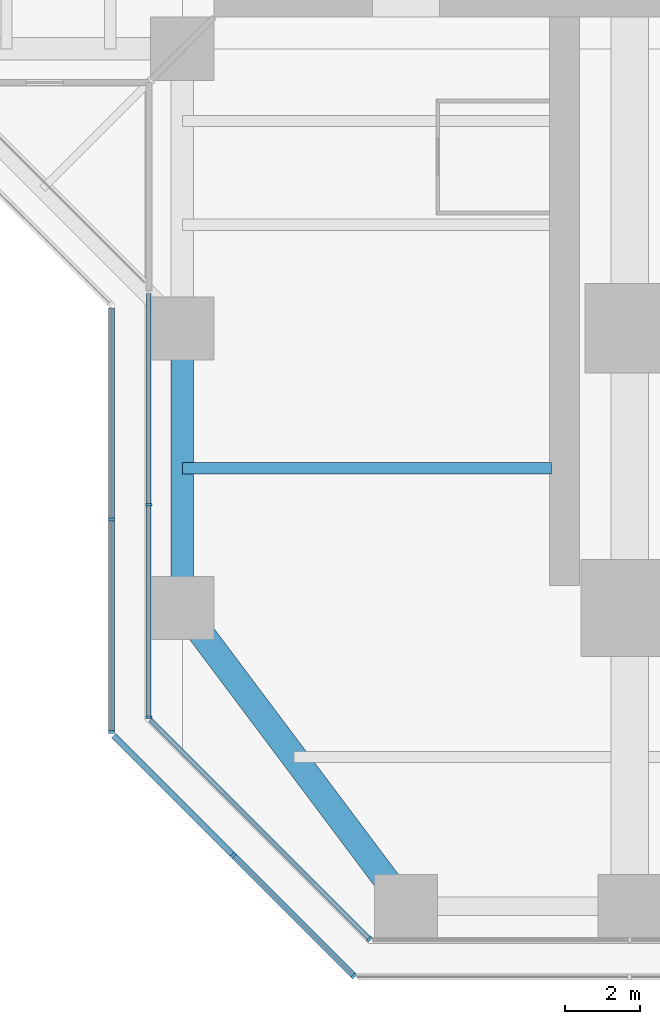
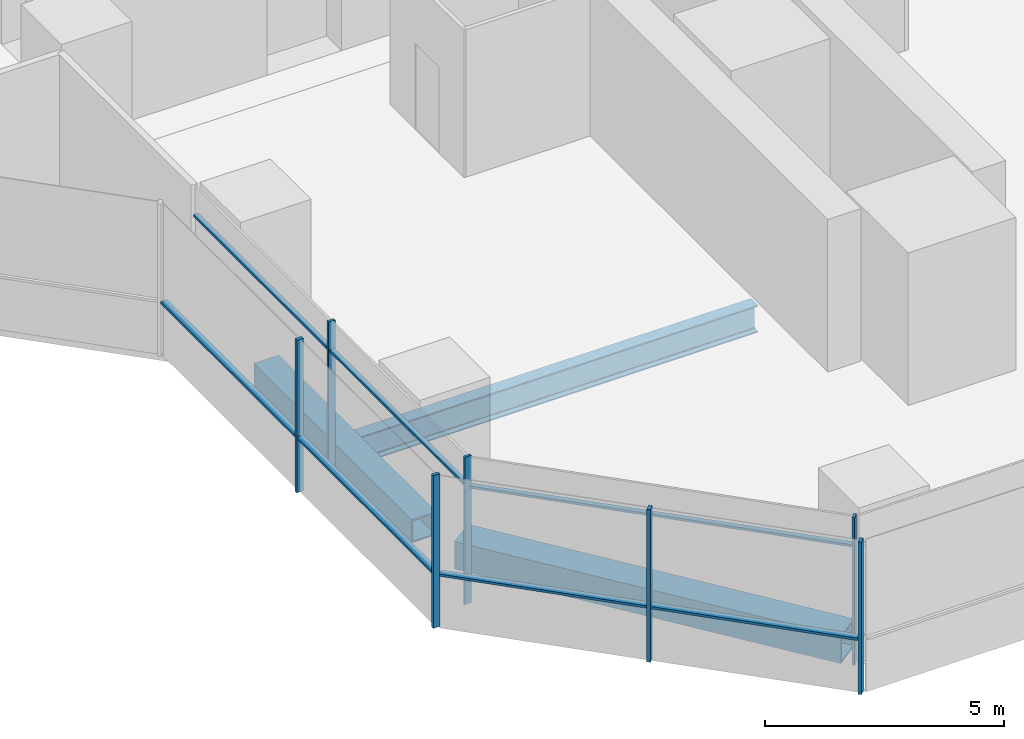
# One storey, part 2 of 22: 14 members, 3 beams, 4 elements without a shape of their own.
"""IFC4 building model written with IfcOpenShell, lengths in metres."""

import ifcopenshell
import ifcopenshell.guid

model = None  # the IFC model being written
_history = None  # IfcOwnerHistory: only IFC2X3 demands one
_inside = {}  # id of a spatial element -> (the spatial element, [elements in it])
_under = {}  # id of a project, library or spatial element -> (it, [spatial elements below it])
_declared = {}  # id of a project -> (the project, [libraries it declares])
_typed = {}  # id of a type object -> (the type object, [elements of that type])
_made_of = {}  # id of a material, layer set ... -> (it, [elements and type objects made of it])


def new_model(schema):
    """Start an empty IFC model of exactly this schema.

    Asked for "IFC4X3", IfcOpenShell would pick the latest addendum, in which some entities
    have other attributes; the version numbers below select the first issue.
    IFC2X3 requires an IfcOwnerHistory on every rooted entity: one is made here for all.
    """
    global model, _history
    if schema == "IFC4X3":
        model = ifcopenshell.file(schema_version=(4, 3, 0, 0))
    else:
        model = ifcopenshell.file(schema=schema)
    _inside.clear()
    _under.clear()
    _declared.clear()
    _typed.clear()
    _made_of.clear()
    _history = None
    if model.schema == "IFC2X3":
        org = make("IfcOrganization", Name="unknown")
        user = make(
            "IfcPersonAndOrganization",
            ThePerson=make("IfcPerson", FamilyName="unknown"),
            TheOrganization=org,
        )
        app = make(
            "IfcApplication",
            ApplicationDeveloper=org,
            Version="unknown",
            ApplicationFullName="unknown",
            ApplicationIdentifier="unknown",
        )
        _history = make(
            "IfcOwnerHistory",
            OwningUser=user,
            OwningApplication=app,
            ChangeAction="ADDED",
            CreationDate=0,
        )
    return model


def make(cls, **values):
    """One entity of the class cls with the attributes given. An attribute that is None is left unset."""
    return model.create_entity(
        cls, **{name: value for name, value in values.items() if value is not None}
    )


def rooted(cls, **values):
    """An entity with a GlobalId (a new one), such as an element, a storey or a relation."""
    return make(cls, GlobalId=ifcopenshell.guid.new(), OwnerHistory=_history, **values)


def si_unit(unit_type, name, prefix=None):
    """IfcSIUnit, for example si_unit("LENGTHUNIT", "METRE", prefix="MILLI")."""
    return make("IfcSIUnit", UnitType=unit_type, Prefix=prefix, Name=name)


def assignment(units):
    """IfcUnitAssignment: the units of a project."""
    return None if units is None else make("IfcUnitAssignment", Units=units)


def point(xyz):
    """IfcCartesianPoint."""
    return None if xyz is None else make("IfcCartesianPoint", Coordinates=xyz)


def direction(xyz):
    """IfcDirection."""
    return None if xyz is None else make("IfcDirection", DirectionRatios=xyz)


def frame(location, z_axis=None, x_axis=None):
    """IfcAxis2Placement3D, a coordinate frame: its origin and axes. An axis left out is left unset."""
    return make(
        "IfcAxis2Placement3D",
        Location=point(location),
        Axis=direction(z_axis),
        RefDirection=direction(x_axis),
    )


def frame_2d(location, x_axis=None):
    """IfcAxis2Placement2D, a coordinate frame in the plane: its origin and x axis."""
    return make(
        "IfcAxis2Placement2D", Location=point(location), RefDirection=direction(x_axis)
    )


def origin():
    """The frame at (0, 0, 0) with its axes left unset."""
    return frame((0.0, 0.0, 0.0))


def origin_2d():
    """The frame at (0, 0) in the plane with its x axis left unset."""
    return frame_2d((0.0, 0.0))


def place(relative_to, where):
    """IfcLocalPlacement: puts the frame where relative to a parent placement (None: the world)."""
    return make(
        "IfcLocalPlacement", PlacementRelTo=relative_to, RelativePlacement=where
    )


def context(
    kind, dimensions, precision=None, world=None, true_north=None, identifier=None
):
    """IfcGeometricRepresentationContext, for example the 3D "Model" context."""
    return make(
        "IfcGeometricRepresentationContext",
        ContextIdentifier=identifier,
        ContextType=kind,
        CoordinateSpaceDimension=dimensions,
        Precision=precision,
        WorldCoordinateSystem=world,
        TrueNorth=true_north,
    )


def subcontext(parent, identifier, kind, view, scale=None):
    """IfcGeometricRepresentationSubContext, for example "Body" below "Model"."""
    return make(
        "IfcGeometricRepresentationSubContext",
        ContextIdentifier=identifier,
        ContextType=kind,
        ParentContext=parent,
        TargetScale=scale,
        TargetView=view,
    )


def project(units=None, contexts=None):
    """IfcProject with its units and contexts."""
    return rooted(
        "IfcProject",
        Name="project",
        RepresentationContexts=contexts,
        UnitsInContext=assignment(units),
    )


def spatial(cls, under=None, at=None, **own):
    """A site, building, storey or space (cls), placed at a placement, below another one or the project."""
    s = rooted(cls, ObjectPlacement=at, **own)
    if under is not None:
        _under.setdefault(under.id(), (under, []))[1].append(s)
    return s


def profile(cls, at=None, kind="AREA", **sizes):
    """A parametric profile (cls). Its sizes go by their IFC names, for example OverallWidth=200.0."""
    return make(cls, ProfileType=kind, Position=at, **sizes)


def rectangle(**sizes):
    """IfcRectangleProfileDef."""
    return profile("IfcRectangleProfileDef", **sizes)


def hollow_rectangle(**sizes):
    """IfcRectangleHollowProfileDef."""
    return profile("IfcRectangleHollowProfileDef", **sizes)


def i_section(**sizes):
    """IfcIShapeProfileDef."""
    return profile("IfcIShapeProfileDef", **sizes)


def extrude(swept, where, along, depth):
    """IfcExtrudedAreaSolid: the profile swept, set in the frame where, extruded along a direction by depth."""
    return make(
        "IfcExtrudedAreaSolid",
        SweptArea=swept,
        Position=where,
        ExtrudedDirection=direction(along),
        Depth=depth,
    )


def shape(context_of_items, identifier, shape_type, items):
    """IfcShapeRepresentation: the items that make up one representation, for example the "Body"."""
    return make(
        "IfcShapeRepresentation",
        ContextOfItems=context_of_items,
        RepresentationIdentifier=identifier,
        RepresentationType=shape_type,
        Items=items,
    )


def material(Name=None, Category=None):
    """IfcMaterial."""
    return make("IfcMaterial", Name=Name, Category=Category)


def material_profile(
    of_material, cross_section, Name=None, Category=None, Priority=None
):
    """IfcMaterialProfile: a cross section and its material."""
    return make(
        "IfcMaterialProfile",
        Name=Name,
        Material=of_material,
        Profile=cross_section,
        Priority=Priority,
        Category=Category,
    )


def profile_set(profiles, Name=None, composite=None):
    """IfcMaterialProfileSet."""
    return make(
        "IfcMaterialProfileSet",
        Name=Name,
        MaterialProfiles=profiles,
        CompositeProfile=composite,
    )


def made_of(thing, what):
    """Note that an element or type object is made of a material, layer set ...; save() writes the relation."""
    if what is not None:
        _made_of.setdefault(what.id(), (what, []))[1].append(thing)
    return thing


def type_object(cls, material=None, **own):
    """A type object (cls), such as IfcWallType, which elements share."""
    return made_of(rooted(cls, **own), material)


def element(
    cls,
    number,
    at=None,
    inside=None,
    cuts=None,
    type_object=None,
    material=None,
    context=None,
    identifier="Body",
    shape_type=None,
    held_by="IfcProductDefinitionShape",
    body=None,
    shapes=None,
    **own,
):
    """One element of the class cls, such as IfcWall. Its Tag is "e" and its number.

    at: its placement. inside: the storey or other place that contains it. cuts: it is an
    opening in that element (IfcRelVoidsElement). A single representation is given by context,
    identifier, shape_type and body (its items); several are given by shapes. held_by: the class
    of the entity that holds the representations. save() writes the other relations.
    """
    e = rooted(cls, Tag="e%d" % number, ObjectPlacement=at, **own)
    if body is not None:
        shapes = [shape(context, identifier, shape_type, body)]
    if shapes is not None:
        e.Representation = make(held_by, Representations=shapes)
    if inside is not None:
        _inside.setdefault(inside.id(), (inside, []))[1].append(e)
    if cuts is not None:
        rooted(
            "IfcRelVoidsElement", RelatingBuildingElement=cuts, RelatedOpeningElement=e
        )
    if type_object is not None:
        _typed.setdefault(type_object.id(), (type_object, []))[1].append(e)
    return made_of(e, material)


def aggregate(whole, parts):
    """IfcRelAggregates: a whole, such as a stair, and the parts it consists of."""
    return rooted("IfcRelAggregates", RelatingObject=whole, RelatedObjects=parts)


def save(model, path):
    """Write the relations noted so far, then the file.

    IfcRelAggregates (storeys below a building ...), IfcRelContainedInSpatialStructure (elements
    in a storey), IfcRelDefinesByType, IfcRelAssociatesMaterial and IfcRelDeclares: one each for
    every whole, place, type object, material and project.
    """
    for whole, parts in _under.values():
        aggregate(whole, parts)
    for where, things in _inside.values():
        rooted(
            "IfcRelContainedInSpatialStructure",
            RelatedElements=things,
            RelatingStructure=where,
        )
    for kind, things in _typed.values():
        rooted("IfcRelDefinesByType", RelatedObjects=things, RelatingType=kind)
    for what, things in _made_of.values():
        rooted("IfcRelAssociatesMaterial", RelatedObjects=things, RelatingMaterial=what)
    for by, libraries in _declared.values():
        rooted("IfcRelDeclares", RelatingContext=by, RelatedDefinitions=libraries)
    model.write(path)


model = new_model("IFC4")

# Units and contexts
model_context = context("Model", 3, precision=1e-05, world=origin(), true_north=direction((0.0, 1.0)))
body_context = subcontext(model_context, "Body", "Model", "MODEL_VIEW")
ifc_project = project(units=[si_unit("LENGTHUNIT", "METRE"), si_unit("AREAUNIT", "SQUARE_METRE"), si_unit("VOLUMEUNIT", "CUBIC_METRE"), si_unit("PLANEANGLEUNIT", "RADIAN"), si_unit("MASSUNIT", "GRAM", prefix="KILO")], contexts=[model_context])

# Site, building, storey
site_placement = place(None, origin())
site = spatial("IfcSite", under=ifc_project, at=site_placement, CompositionType="ELEMENT")
building_placement = place(site_placement, origin())
building = spatial("IfcBuilding", under=site, at=building_placement, Name="Mizan Broadcast Tower", CompositionType="ELEMENT")
storey_placement = place(building_placement, frame((0.0, 0.0, 43.5)))
storey = spatial("IfcBuildingStorey", under=building, at=storey_placement, Name="L07", CompositionType="ELEMENT", Elevation=43.5)

# Beams
ifc_material_1 = material(Name="Steel S355", Category="steel")
ifc_material_profile_1 = material_profile(ifc_material_1, hollow_rectangle(XDim=0.60009765625, YDim=0.60009765625, WallThickness=0.0400390625, at=origin_2d()), Name="BOX 600x600x40")
ifc_profile_set_1 = profile_set([ifc_material_profile_1], Name="Steel S355")
beam_type_1 = type_object("IfcBeamType", Name="EDGE BEAM BOX 600x600x40", PredefinedType="SPANDREL", material=ifc_profile_set_1)
beam_1_placement = place(storey_placement, frame((-12.0, -19.949951171875, -0.429931640625), z_axis=(0.0, -1.0, 0.0), x_axis=(1.0, 0.0, 0.0)))
element("IfcBeam", 1, at=beam_1_placement, inside=storey, type_object=beam_type_1, Name="Edge beam BOX 600x600x40 L07 south arm", PredefinedType="SPANDREL", context=body_context, shape_type="SweptSolid", body=[
    extrude(hollow_rectangle(XDim=0.60009765625, YDim=0.60009765625, WallThickness=0.0400390625, at=origin_2d()), origin(), (0.0, 0.0, 1.0), 6.60009765625),
])
ifc_material_2 = material(Name="Steel S355", Category="steel")
ifc_material_profile_2 = material_profile(ifc_material_2, hollow_rectangle(XDim=0.699951171875, YDim=0.699951171875, WallThickness=0.0400390625, at=origin_2d()), Name="BOX 700x700x40")
ifc_profile_set_2 = profile_set([ifc_material_profile_2], Name="Steel S355")
beam_type_2 = type_object("IfcBeamType", Name="EDGE BEAM BOX 700x700x40", PredefinedType="SPANDREL", material=ifc_profile_set_2)
beam_2_placement = place(storey_placement, frame((-11.639892578125, -27.47998046875, -0.47998046875), z_axis=(0.599982243973, -0.800013316712, 0.0), x_axis=(0.800013316712, 0.599982243973, 0.0)))
element("IfcBeam", 2, at=beam_2_placement, inside=storey, type_object=beam_type_2, Name="Edge beam BOX 700x700x40 L07 south arm", PredefinedType="SPANDREL", context=body_context, shape_type="SweptSolid", body=[
    extrude(hollow_rectangle(XDim=0.699951171875, YDim=0.699951171875, WallThickness=0.0400390625, at=origin_2d()), origin(), (0.0, 0.0, 1.0), 8.7998046875),
])

# Curtain wall, members
ifc_material_3 = material(Name="Aluminium framed glazing", Category="aluminium")
curtain_wall_type_1 = type_object("IfcCurtainWallType", Name="INNER SKIN LOW ZONE", PredefinedType="USERDEFINED", material=ifc_material_3)
curtain_wall_1_placement = place(storey_placement, origin())
curtain_wall_1 = element("IfcCurtainWall", 3, at=curtain_wall_1_placement, inside=storey, type_object=curtain_wall_type_1, Name="Inner skin low zone L07 S side", ObjectType="INNER SKIN LOW ZONE", PredefinedType="USERDEFINED")
ifc_material_4 = material(Name="Aluminium, pale anodised", Category="aluminium")
ifc_material_profile_3 = material_profile(ifc_material_4, rectangle(XDim=0.159912109375, YDim=0.06005859375, at=origin_2d()), Name="MULLION 160x60")
ifc_profile_set_3 = profile_set([ifc_material_profile_3], Name="Aluminium, pale anodised")
member_type_1 = type_object("IfcMemberType", Name="INNER SKIN MULLION 60x160", PredefinedType="MULLION", material=ifc_profile_set_3)
member_1_placement = place(storey_placement, frame((-12.89990234375, -24.229248046875, 0.0), z_axis=(0.0, 0.0, 1.0), x_axis=(1.0, 0.0, 0.0)))
member_1 = element("IfcMember", 4, at=member_1_placement, type_object=member_type_1, Name="Inner skin low zone L07 S side mullion 2", PredefinedType="MULLION", context=body_context, shape_type="SweptSolid", body=[
    extrude(rectangle(XDim=0.159912109375, YDim=0.06005859375, at=origin_2d()), origin(), (0.0, 0.0, 1.0), 3.77001953125),
])
member_2_placement = place(storey_placement, frame((-12.89990234375, -29.928466796875, 0.0), z_axis=(0.0, 0.0, 1.0), x_axis=(1.0, 0.0, 0.0)))
member_2 = element("IfcMember", 5, at=member_2_placement, type_object=member_type_1, Name="Inner skin low zone L07 S side mullion 3", PredefinedType="MULLION", context=body_context, shape_type="SweptSolid", body=[
    extrude(rectangle(XDim=0.159912109375, YDim=0.06005859375, at=origin_2d()), origin(), (0.0, 0.0, 1.0), 3.77001953125),
])

# Curtain wall, member
curtain_wall_2_placement = place(storey_placement, origin())
curtain_wall_2 = element("IfcCurtainWall", 6, at=curtain_wall_2_placement, inside=storey, type_object=curtain_wall_type_1, Name="Inner skin low zone L07 S chamfer", ObjectType="INNER SKIN LOW ZONE", PredefinedType="USERDEFINED")
member_3_placement = place(storey_placement, frame((-6.979736328125, -35.87890625, 0.0), z_axis=(0.0, 0.0, 1.0), x_axis=(0.707106781187, 0.707106781187, 0.0)))
member_3 = element("IfcMember", 7, at=member_3_placement, type_object=member_type_1, Name="Inner skin low zone L07 S chamfer mullion 2", PredefinedType="MULLION", context=body_context, shape_type="SweptSolid", body=[
    extrude(rectangle(XDim=0.159912109375, YDim=0.06005859375, at=origin_2d()), origin(), (0.0, 0.0, 1.0), 3.77001953125),
])

# Member
ifc_material_5 = material(Name="Aluminium, pale anodised", Category="aluminium")
ifc_material_profile_4 = material_profile(ifc_material_5, rectangle(XDim=0.1201171875, YDim=0.06005859375, at=origin_2d()), Name="TRANSOM 120x60")
ifc_profile_set_4 = profile_set([ifc_material_profile_4], Name="Aluminium, pale anodised")
member_type_2 = type_object("IfcMemberType", Name="INNER SKIN TRANSOM 60x120", PredefinedType="USERDEFINED", material=ifc_profile_set_4)
member_4_placement = place(storey_placement, frame((-12.89990234375, -18.56005859375, 3.030029296875), z_axis=(0.0, -1.0, 0.0), x_axis=(1.0, 0.0, 0.0)))
member_4 = element("IfcMember", 8, at=member_4_placement, type_object=member_type_2, Name="Inner skin low zone L07 S side transom 1.1", ObjectType="TRANSOM", PredefinedType="USERDEFINED", context=body_context, shape_type="SweptSolid", body=[
    extrude(rectangle(XDim=0.1201171875, YDim=0.06005859375, at=origin_2d()), origin(), (0.0, 0.0, 1.0), 5.63916015625),
])

member_5_placement = place(storey_placement, frame((-12.89990234375, -24.25927734375, 3.030029296875), z_axis=(0.0, -1.0, 0.0), x_axis=(1.0, 0.0, 0.0)))
member_5 = element("IfcMember", 9, at=member_5_placement, type_object=member_type_2, Name="Inner skin low zone L07 S side transom 2.1", ObjectType="TRANSOM", PredefinedType="USERDEFINED", context=body_context, shape_type="SweptSolid", body=[
    extrude(rectangle(XDim=0.1201171875, YDim=0.06005859375, at=origin_2d()), origin(), (0.0, 0.0, 1.0), 5.639404296875),
])

aggregate(curtain_wall_1, [member_1, member_2, member_4, member_5])

member_6_placement = place(storey_placement, frame((-12.857666015625, -30.0009765625, 3.030029296875), z_axis=(0.707106781187, -0.707106781187, 0.0), x_axis=(0.707106781187, 0.707106781187, 0.0)))
member_6 = element("IfcMember", 10, at=member_6_placement, type_object=member_type_2, Name="Inner skin low zone L07 S chamfer transom 1.1", ObjectType="TRANSOM", PredefinedType="USERDEFINED", context=body_context, shape_type="SweptSolid", body=[
    extrude(rectangle(XDim=0.1201171875, YDim=0.06005859375, at=origin_2d()), origin(), (0.0, 0.0, 1.0), 8.28271484375),
])

aggregate(curtain_wall_2, [member_3, member_6])

# Curtain wall, members
ifc_material_6 = material(Name="Aluminium framed glazing", Category="aluminium")
curtain_wall_type_2 = type_object("IfcCurtainWallType", Name="OUTER SKIN", PredefinedType="USERDEFINED", material=ifc_material_6)
curtain_wall_3_placement = place(storey_placement, origin())
curtain_wall_3 = element("IfcCurtainWall", 11, at=curtain_wall_3_placement, inside=storey, type_object=curtain_wall_type_2, Name="Outer skin L07 S side", ObjectType="OUTER SKIN", PredefinedType="USERDEFINED")
ifc_material_7 = material(Name="Aluminium, pale anodised", Category="aluminium")
ifc_material_profile_5 = material_profile(ifc_material_7, rectangle(XDim=0.159912109375, YDim=0.080078125, at=origin_2d()), Name="MULLION 160x80")
ifc_profile_set_5 = profile_set([ifc_material_profile_5], Name="Aluminium, pale anodised")
member_type_3 = type_object("IfcMemberType", Name="OUTER SKIN MULLION 80x160", PredefinedType="MULLION", material=ifc_profile_set_5)
member_7_placement = place(storey_placement, frame((-13.89990234375, -24.622802734375, 0.0), z_axis=(0.0, 0.0, 1.0), x_axis=(1.0, 0.0, 0.0)))
member_7 = element("IfcMember", 12, at=member_7_placement, type_object=member_type_3, Name="Outer skin L07 S side mullion 2", PredefinedType="MULLION", context=body_context, shape_type="SweptSolid", body=[
    extrude(rectangle(XDim=0.159912109375, YDim=0.080078125, at=origin_2d()), origin(), (0.0, 0.0, 1.0), 3.89990234375),
])
member_8_placement = place(storey_placement, frame((-13.89990234375, -30.332763671875, 0.0), z_axis=(0.0, 0.0, 1.0), x_axis=(1.0, 0.0, 0.0)))
member_8 = element("IfcMember", 13, at=member_8_placement, type_object=member_type_3, Name="Outer skin L07 S side mullion 3", PredefinedType="MULLION", context=body_context, shape_type="SweptSolid", body=[
    extrude(rectangle(XDim=0.159912109375, YDim=0.080078125, at=origin_2d()), origin(), (0.0, 0.0, 1.0), 3.89990234375),
])

curtain_wall_4_placement = place(storey_placement, origin())
curtain_wall_4 = element("IfcCurtainWall", 14, at=curtain_wall_4_placement, inside=storey, type_object=curtain_wall_type_2, Name="Outer skin L07 S chamfer", ObjectType="OUTER SKIN", PredefinedType="USERDEFINED")
member_9_placement = place(storey_placement, frame((-10.636474609375, -33.636474609375, 0.0), z_axis=(0.0, 0.0, 1.0), x_axis=(0.707106781187, 0.707106781187, 0.0)))
member_9 = element("IfcMember", 15, at=member_9_placement, type_object=member_type_3, Name="Outer skin L07 S chamfer mullion 2", PredefinedType="MULLION", context=body_context, shape_type="SweptSolid", body=[
    extrude(rectangle(XDim=0.159912109375, YDim=0.080078125, at=origin_2d()), origin(), (0.0, 0.0, 1.0), 3.89990234375),
])
member_10_placement = place(storey_placement, frame((-7.401123046875, -36.871826171875, 0.0), z_axis=(0.0, 0.0, 1.0), x_axis=(0.707106781187, 0.707106781187, 0.0)))
member_10 = element("IfcMember", 16, at=member_10_placement, type_object=member_type_3, Name="Outer skin L07 S chamfer mullion 3", PredefinedType="MULLION", context=body_context, shape_type="SweptSolid", body=[
    extrude(rectangle(XDim=0.159912109375, YDim=0.080078125, at=origin_2d()), origin(), (0.0, 0.0, 1.0), 3.89990234375),
])

# Member
ifc_material_8 = material(Name="Aluminium, pale anodised", Category="aluminium")
ifc_material_profile_6 = material_profile(ifc_material_8, rectangle(XDim=0.159912109375, YDim=0.06005859375, at=origin_2d()), Name="TRANSOM 160x60")
ifc_profile_set_6 = profile_set([ifc_material_profile_6], Name="Aluminium, pale anodised")
member_type_4 = type_object("IfcMemberType", Name="OUTER SKIN TRANSOM 60x160", PredefinedType="USERDEFINED", material=ifc_profile_set_6)
member_11_placement = place(storey_placement, frame((-13.89990234375, -18.952880859375, 1.39990234375), z_axis=(0.0, -1.0, 0.0), x_axis=(1.0, 0.0, 0.0)))
member_11 = element("IfcMember", 17, at=member_11_placement, type_object=member_type_4, Name="Outer skin L07 S side transom 1.1", ObjectType="TRANSOM", PredefinedType="USERDEFINED", context=body_context, shape_type="SweptSolid", body=[
    extrude(rectangle(XDim=0.159912109375, YDim=0.06005859375, at=origin_2d()), origin(), (0.0, 0.0, 1.0), 5.6298828125),
])

member_12_placement = place(storey_placement, frame((-13.89990234375, -24.662841796875, 1.39990234375), z_axis=(0.0, -1.0, 0.0), x_axis=(1.0, 0.0, 0.0)))
member_12 = element("IfcMember", 18, at=member_12_placement, type_object=member_type_4, Name="Outer skin L07 S side transom 2.1", ObjectType="TRANSOM", PredefinedType="USERDEFINED", context=body_context, shape_type="SweptSolid", body=[
    extrude(rectangle(XDim=0.159912109375, YDim=0.06005859375, at=origin_2d()), origin(), (0.0, 0.0, 1.0), 5.6298828125),
])

aggregate(curtain_wall_3, [member_7, member_8, member_11, member_12])

member_13_placement = place(storey_placement, frame((-13.843505859375, -30.429443359375, 1.39990234375), z_axis=(0.707106781187, -0.707106781187, 0.0), x_axis=(0.707106781187, 0.707106781187, 0.0)))
member_13 = element("IfcMember", 19, at=member_13_placement, type_object=member_type_4, Name="Outer skin L07 S chamfer transom 1.1", ObjectType="TRANSOM", PredefinedType="USERDEFINED", context=body_context, shape_type="SweptSolid", body=[
    extrude(rectangle(XDim=0.159912109375, YDim=0.06005859375, at=origin_2d()), origin(), (0.0, 0.0, 1.0), 4.495361328125),
])

member_14_placement = place(storey_placement, frame((-10.608154296875, -33.664794921875, 1.39990234375), z_axis=(0.707106781187, -0.707106781187, 0.0), x_axis=(0.707106781187, 0.707106781187, 0.0)))
member_14 = element("IfcMember", 20, at=member_14_placement, type_object=member_type_4, Name="Outer skin L07 S chamfer transom 2.1", ObjectType="TRANSOM", PredefinedType="USERDEFINED", context=body_context, shape_type="SweptSolid", body=[
    extrude(rectangle(XDim=0.159912109375, YDim=0.06005859375, at=origin_2d()), origin(), (0.0, 0.0, 1.0), 4.495361328125),
])

aggregate(curtain_wall_4, [member_9, member_10, member_13, member_14])

# Beam
ifc_material_9 = material(Name="Steel S355", Category="steel")
ifc_material_profile_7 = material_profile(ifc_material_9, i_section(OverallWidth=0.300048828125, OverallDepth=0.68994140625, WebThickness=0.014404296875, FlangeThickness=0.027099609375, FilletRadius=0.027099609375, at=origin_2d()), Name="HEA 700")
ifc_profile_set_7 = profile_set([ifc_material_profile_7], Name="Steel S355")
beam_type_3 = type_object("IfcBeamType", Name="SECONDARY BEAM HEA 700", PredefinedType="JOIST", material=ifc_profile_set_7)
beam_3_placement = place(storey_placement, frame((-12.0, -23.25, -0.47509765625), z_axis=(1.0, 0.0, 0.0), x_axis=(0.0, 1.0, 0.0)))
element("IfcBeam", 21, at=beam_3_placement, inside=storey, type_object=beam_type_3, Name="Secondary beam HEA 700 L07 south arm", PredefinedType="JOIST", context=body_context, shape_type="SweptSolid", body=[
    extrude(i_section(OverallWidth=0.300048828125, OverallDepth=0.68994140625, WebThickness=0.014404296875, FlangeThickness=0.027099609375, FilletRadius=0.027099609375, at=origin_2d()), origin(), (0.0, 0.0, 1.0), 9.89990234375),
])

save(model, "model.ifc")
